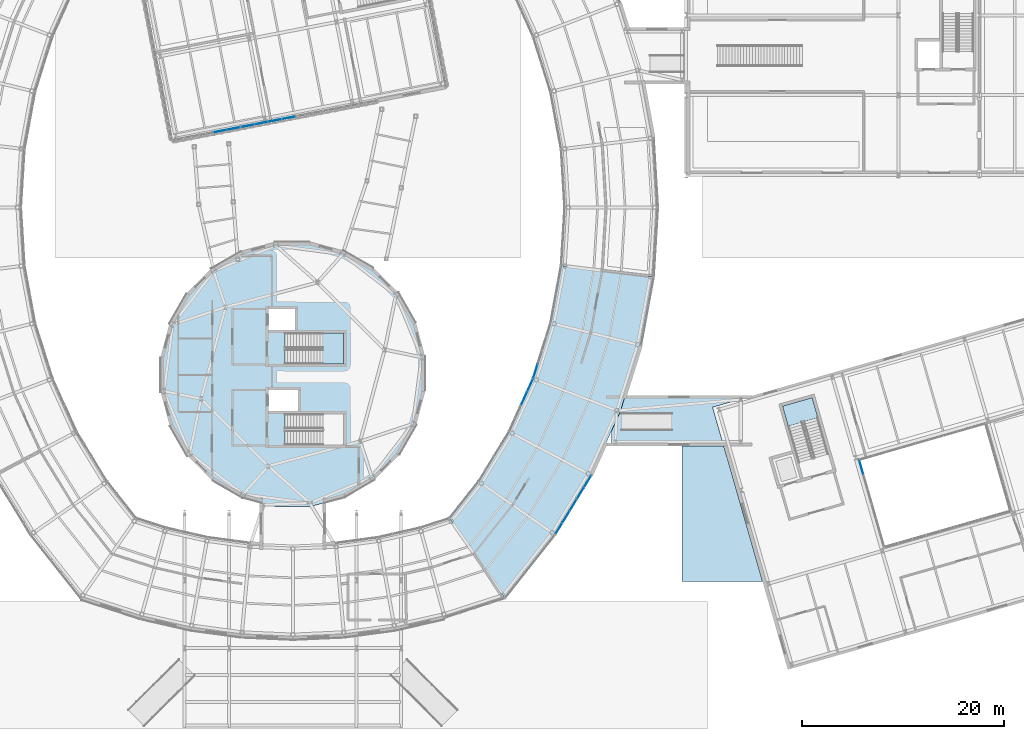
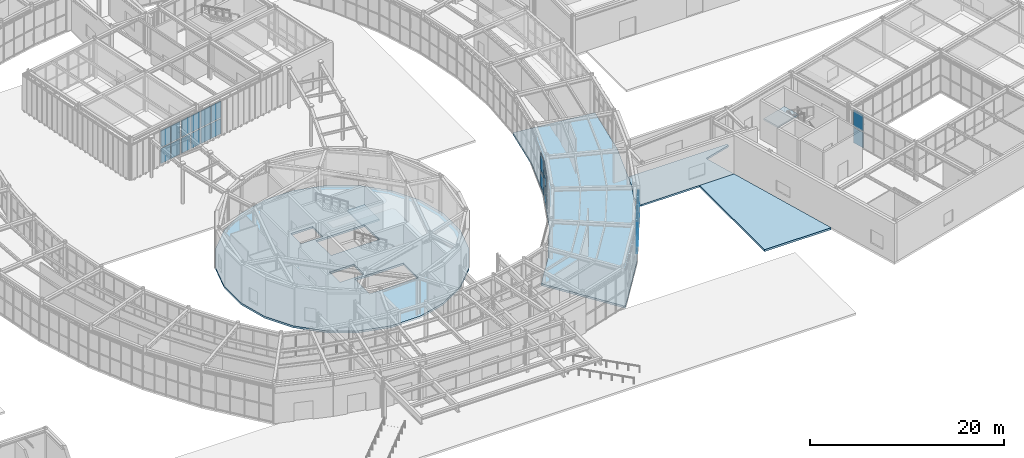
# One storey, part 59 of 97: 29 plates, 6 slabs, 8 elements without a shape of their own.
"""IFC4 building model written with IfcOpenShell, lengths in metres."""

from ifc_helpers import new_model, si_unit, direction, frame, origin, origin_2d, place, context, subcontext, project, spatial, polyline, rectangle, outline, extrude, material, layer, layer_set, type_object, element, aggregate, save


model = new_model("IFC4")

# Units and contexts
model_context = context("Model", 3, precision=1e-05, world=origin(), true_north=direction((0.0, 1.0)))
body_context = subcontext(model_context, "Body", "Model", "MODEL_VIEW")
ifc_project = project(units=[si_unit("LENGTHUNIT", "METRE"), si_unit("AREAUNIT", "SQUARE_METRE"), si_unit("VOLUMEUNIT", "CUBIC_METRE"), si_unit("PLANEANGLEUNIT", "RADIAN"), si_unit("MASSUNIT", "GRAM", prefix="KILO")], contexts=[model_context])

# Site, building, storey
site_placement = place(None, origin())
site = spatial("IfcSite", under=ifc_project, at=site_placement, CompositionType="ELEMENT")
building_placement = place(site_placement, origin())
building = spatial("IfcBuilding", under=site, at=building_placement, Name="Varnklinge Art Gallery", CompositionType="ELEMENT")
storey_placement = place(building_placement, origin())
storey = spatial("IfcBuildingStorey", under=building, at=storey_placement, Name="L00", CompositionType="ELEMENT", Elevation=0.0)

# Curtain wall, plates
ifc_material_1 = material(Name="Anodised Aluminium", Category="aluminium")
curtain_wall_type_1 = type_object("IfcCurtainWallType", Name="CW-R03", PredefinedType="USERDEFINED", material=ifc_material_1)
curtain_wall_1_placement = place(storey_placement, origin())
curtain_wall_1 = element("IfcCurtainWall", 1, at=curtain_wall_1_placement, inside=storey, type_object=curtain_wall_type_1, Name="L00 Curtain Wall CW-V2I-L00-03", ObjectType="UNITISED CURTAIN WALL", PredefinedType="USERDEFINED")
ifc_material_2 = material(Name="Insulated Low-E Triple Glazing", Category="glass")
ifc_layer_1 = layer(ifc_material_2, 0.031982421875)
ifc_layer_set_1 = layer_set([ifc_layer_1], Name="Insulated Low-E Triple Glazing")
plate_type_1 = type_object("IfcPlateType", Name="GLZ-32", PredefinedType="CURTAIN_PANEL", material=ifc_layer_set_1)
plate_1_placement = place(storey_placement, frame((98.960205078125, 37.400390625, 0.1181640625), z_axis=(0.0, 0.0, 1.0), x_axis=(-0.413422293217, -0.910539404678, 0.0)))
plate_1 = element("IfcPlate", 2, at=plate_1_placement, type_object=plate_type_1, Name="CW-V2I-L00-03 Glazing Panel 1.1", PredefinedType="CURTAIN_PANEL", context=body_context, shape_type="SweptSolid", body=[
    extrude(rectangle(XDim=1.355712890625, YDim=0.031982421875, at=origin_2d()), origin(), (0.0, 0.0, 1.0), 1.950439453125),
])
plate_2_placement = place(storey_placement, frame((98.960205078125, 37.400390625, 2.1845703125), z_axis=(0.0, 0.0, 1.0), x_axis=(-0.413422293217, -0.910539404678, 0.0)))
plate_2 = element("IfcPlate", 3, at=plate_2_placement, type_object=plate_type_1, Name="CW-V2I-L00-03 Glazing Panel 1.2", PredefinedType="CURTAIN_PANEL", context=body_context, shape_type="SweptSolid", body=[
    extrude(rectangle(XDim=1.355712890625, YDim=0.031982421875, at=origin_2d()), origin(), (0.0, 0.0, 1.0), 2.127685546875),
])
plate_3_placement = place(storey_placement, frame((98.370361328125, 36.101318359375, 0.1181640625), z_axis=(0.0, 0.0, 1.0), x_axis=(-0.413422293217, -0.910539404678, 0.0)))
plate_3 = element("IfcPlate", 4, at=plate_3_placement, type_object=plate_type_1, Name="CW-V2I-L00-03 Glazing Panel 2.1", PredefinedType="CURTAIN_PANEL", context=body_context, shape_type="SweptSolid", body=[
    extrude(rectangle(XDim=1.3857421875, YDim=0.031982421875, at=origin_2d()), origin(), (0.0, 0.0, 1.0), 1.950439453125),
])
plate_4_placement = place(storey_placement, frame((98.370361328125, 36.101318359375, 2.1845703125), z_axis=(0.0, 0.0, 1.0), x_axis=(-0.413422293217, -0.910539404678, 0.0)))
plate_4 = element("IfcPlate", 5, at=plate_4_placement, type_object=plate_type_1, Name="CW-V2I-L00-03 Glazing Panel 2.2", PredefinedType="CURTAIN_PANEL", context=body_context, shape_type="SweptSolid", body=[
    extrude(rectangle(XDim=1.3857421875, YDim=0.031982421875, at=origin_2d()), origin(), (0.0, 0.0, 1.0), 2.127685546875),
])
aggregate(curtain_wall_1, [plate_1, plate_2, plate_3, plate_4])

curtain_wall_2_placement = place(storey_placement, origin())
curtain_wall_2 = element("IfcCurtainWall", 6, at=curtain_wall_2_placement, inside=storey, type_object=curtain_wall_type_1, Name="L00 Curtain Wall CW-V2I-L00-04", ObjectType="UNITISED CURTAIN WALL", PredefinedType="USERDEFINED")
plate_5_placement = place(storey_placement, frame((99.485107421875, 38.7724609375, 0.1181640625), z_axis=(0.0, 0.0, 1.0), x_axis=(-0.299706904751, -0.954031326134, 0.0)))
plate_5 = element("IfcPlate", 7, at=plate_5_placement, type_object=plate_type_1, Name="CW-V2I-L00-04 Glazing Panel 4.1", PredefinedType="CURTAIN_PANEL", context=body_context, shape_type="SweptSolid", body=[
    extrude(rectangle(XDim=1.355712890625, YDim=0.031982421875, at=origin_2d()), origin(), (0.0, 0.0, 1.0), 1.950439453125),
])
plate_6_placement = place(storey_placement, frame((99.485107421875, 38.7724609375, 2.1845703125), z_axis=(0.0, 0.0, 1.0), x_axis=(-0.299706904751, -0.954031326134, 0.0)))
plate_6 = element("IfcPlate", 8, at=plate_6_placement, type_object=plate_type_1, Name="CW-V2I-L00-04 Glazing Panel 4.2", PredefinedType="CURTAIN_PANEL", context=body_context, shape_type="SweptSolid", body=[
    extrude(rectangle(XDim=1.355712890625, YDim=0.031982421875, at=origin_2d()), origin(), (0.0, 0.0, 1.0), 2.127685546875),
])
aggregate(curtain_wall_2, [plate_5, plate_6])

ifc_material_3 = material(Name="Anodised Aluminium", Category="aluminium")
curtain_wall_type_2 = type_object("IfcCurtainWallType", Name="CW-C01", PredefinedType="USERDEFINED", material=ifc_material_3)
curtain_wall_3_placement = place(storey_placement, origin())
curtain_wall_3 = element("IfcCurtainWall", 9, at=curtain_wall_3_placement, inside=storey, type_object=curtain_wall_type_2, Name="L00 Curtain Wall CW-V6C-L00-4", ObjectType="UNITISED CURTAIN WALL", PredefinedType="USERDEFINED")
plate_7_placement = place(storey_placement, frame((131.722412109375, 29.298583984375, 0.1181640625), z_axis=(0.0, 0.0, 1.0), x_axis=(-0.275637355817, 0.961261695938, 0.0)))
plate_7 = element("IfcPlate", 10, at=plate_7_placement, type_object=plate_type_1, Name="CW-V6C-L00-4 Glazing Panel 6.1", PredefinedType="CURTAIN_PANEL", context=body_context, shape_type="SweptSolid", body=[
    extrude(rectangle(XDim=1.4140625, YDim=0.031982421875, at=origin_2d()), origin(), (0.0, 0.0, 1.0), 1.950439453125),
])
plate_8_placement = place(storey_placement, frame((131.722412109375, 29.298583984375, 2.1845703125), z_axis=(0.0, 0.0, 1.0), x_axis=(-0.275637355817, 0.961261695938, 0.0)))
plate_8 = element("IfcPlate", 11, at=plate_8_placement, type_object=plate_type_1, Name="CW-V6C-L00-4 Glazing Panel 6.2", PredefinedType="CURTAIN_PANEL", context=body_context, shape_type="SweptSolid", body=[
    extrude(rectangle(XDim=1.4140625, YDim=0.031982421875, at=origin_2d()), origin(), (0.0, 0.0, 1.0), 2.127685546875),
])
aggregate(curtain_wall_3, [plate_7, plate_8])

ifc_material_4 = material(Name="Anodised Aluminium", Category="aluminium")
curtain_wall_type_3 = type_object("IfcCurtainWallType", Name="CW-R01", PredefinedType="USERDEFINED", material=ifc_material_4)
curtain_wall_4_placement = place(storey_placement, origin())
curtain_wall_4 = element("IfcCurtainWall", 12, at=curtain_wall_4_placement, inside=storey, type_object=curtain_wall_type_3, Name="L00 Curtain Wall CW-V2O-L00-02", ObjectType="UNITISED CURTAIN WALL", PredefinedType="USERDEFINED")
ifc_material_5 = material(Name="Insulated Low-E Triple Glazing", Category="glass")
ifc_layer_2 = layer(ifc_material_5, 0.0380859375)
ifc_layer_set_2 = layer_set([ifc_layer_2], Name="Insulated Low-E Triple Glazing")
plate_type_2 = type_object("IfcPlateType", Name="GLZ-38", PredefinedType="CURTAIN_PANEL", material=ifc_layer_set_2)
plate_9_placement = place(storey_placement, frame((101.80419921875, 23.226806640625, 2.199462890625), z_axis=(0.0, 0.0, 1.0), x_axis=(0.520860651188, 0.85364171761, 0.0)))
plate_9 = element("IfcPlate", 13, at=plate_9_placement, type_object=plate_type_2, Name="CW-V2O-L00-02 Glazing Panel 1.2", PredefinedType="CURTAIN_PANEL", context=body_context, shape_type="SweptSolid", body=[
    extrude(rectangle(XDim=1.2841796875, YDim=0.0380859375, at=origin_2d()), origin(), (0.0, 0.0, 1.0), 2.08251953125),
])
plate_10_placement = place(storey_placement, frame((102.513427734375, 24.38916015625, 0.14794921875), z_axis=(0.0, 0.0, 1.0), x_axis=(0.520860651188, 0.85364171761, 0.0)))
plate_10 = element("IfcPlate", 14, at=plate_10_placement, type_object=plate_type_2, Name="CW-V2O-L00-02 Glazing Panel 2.1", PredefinedType="CURTAIN_PANEL", context=body_context, shape_type="SweptSolid", body=[
    extrude(rectangle(XDim=1.316650390625, YDim=0.0380859375, at=origin_2d()), origin(), (0.0, 0.0, 1.0), 1.905517578125),
])
plate_11_placement = place(storey_placement, frame((102.513427734375, 24.38916015625, 2.199462890625), z_axis=(0.0, 0.0, 1.0), x_axis=(0.520860651188, 0.85364171761, 0.0)))
plate_11 = element("IfcPlate", 15, at=plate_11_placement, type_object=plate_type_2, Name="CW-V2O-L00-02 Glazing Panel 2.2", PredefinedType="CURTAIN_PANEL", context=body_context, shape_type="SweptSolid", body=[
    extrude(rectangle(XDim=1.316650390625, YDim=0.0380859375, at=origin_2d()), origin(), (0.0, 0.0, 1.0), 2.08251953125),
])
plate_12_placement = place(storey_placement, frame((103.231201171875, 25.565185546875, 0.14794921875), z_axis=(0.0, 0.0, 1.0), x_axis=(0.520860651188, 0.85364171761, 0.0)))
plate_12 = element("IfcPlate", 16, at=plate_12_placement, type_object=plate_type_2, Name="CW-V2O-L00-02 Glazing Panel 3.1", PredefinedType="CURTAIN_PANEL", context=body_context, shape_type="SweptSolid", body=[
    extrude(rectangle(XDim=1.316650390625, YDim=0.0380859375, at=origin_2d()), origin(), (0.0, 0.0, 1.0), 1.905517578125),
])
plate_13_placement = place(storey_placement, frame((103.231201171875, 25.565185546875, 2.199462890625), z_axis=(0.0, 0.0, 1.0), x_axis=(0.520860651188, 0.85364171761, 0.0)))
plate_13 = element("IfcPlate", 17, at=plate_13_placement, type_object=plate_type_2, Name="CW-V2O-L00-02 Glazing Panel 3.2", PredefinedType="CURTAIN_PANEL", context=body_context, shape_type="SweptSolid", body=[
    extrude(rectangle(XDim=1.316650390625, YDim=0.0380859375, at=origin_2d()), origin(), (0.0, 0.0, 1.0), 2.08251953125),
])
plate_14_placement = place(storey_placement, frame((103.948974609375, 26.7412109375, 0.14794921875), z_axis=(0.0, 0.0, 1.0), x_axis=(0.520860651188, 0.85364171761, 0.0)))
plate_14 = element("IfcPlate", 18, at=plate_14_placement, type_object=plate_type_2, Name="CW-V2O-L00-02 Glazing Panel 4.1", PredefinedType="CURTAIN_PANEL", context=body_context, shape_type="SweptSolid", body=[
    extrude(rectangle(XDim=1.316650390625, YDim=0.0380859375, at=origin_2d()), origin(), (0.0, 0.0, 1.0), 1.905517578125),
])
plate_15_placement = place(storey_placement, frame((103.948974609375, 26.7412109375, 2.199462890625), z_axis=(0.0, 0.0, 1.0), x_axis=(0.520860651188, 0.85364171761, 0.0)))
plate_15 = element("IfcPlate", 19, at=plate_15_placement, type_object=plate_type_2, Name="CW-V2O-L00-02 Glazing Panel 4.2", PredefinedType="CURTAIN_PANEL", context=body_context, shape_type="SweptSolid", body=[
    extrude(rectangle(XDim=1.316650390625, YDim=0.0380859375, at=origin_2d()), origin(), (0.0, 0.0, 1.0), 2.08251953125),
])
plate_16_placement = place(storey_placement, frame((104.658203125, 27.9033203125, 0.14794921875), z_axis=(0.0, 0.0, 1.0), x_axis=(0.520860651188, 0.85364171761, 0.0)))
plate_16 = element("IfcPlate", 20, at=plate_16_placement, type_object=plate_type_2, Name="CW-V2O-L00-02 Glazing Panel 5.1", PredefinedType="CURTAIN_PANEL", context=body_context, shape_type="SweptSolid", body=[
    extrude(rectangle(XDim=1.2841796875, YDim=0.0380859375, at=origin_2d()), origin(), (0.0, 0.0, 1.0), 1.905517578125),
])
plate_17_placement = place(storey_placement, frame((104.658203125, 27.9033203125, 2.199462890625), z_axis=(0.0, 0.0, 1.0), x_axis=(0.520860651188, 0.85364171761, 0.0)))
plate_17 = element("IfcPlate", 21, at=plate_17_placement, type_object=plate_type_2, Name="CW-V2O-L00-02 Glazing Panel 5.2", PredefinedType="CURTAIN_PANEL", context=body_context, shape_type="SweptSolid", body=[
    extrude(rectangle(XDim=1.2841796875, YDim=0.0380859375, at=origin_2d()), origin(), (0.0, 0.0, 1.0), 2.08251953125),
])
aggregate(curtain_wall_4, [plate_9, plate_10, plate_11, plate_12, plate_13, plate_14, plate_15, plate_16, plate_17])

ifc_material_6 = material(Name="Anodised Aluminium", Category="aluminium")
curtain_wall_type_4 = type_object("IfcCurtainWallType", Name="CW-L01", PredefinedType="USERDEFINED", material=ifc_material_6)
curtain_wall_5_placement = place(storey_placement, origin())
curtain_wall_5 = element("IfcCurtainWall", 22, at=curtain_wall_5_placement, inside=storey, type_object=curtain_wall_type_4, Name="L00 Curtain Wall CW-V4B-L00-1-1-1", ObjectType="UNITISED CURTAIN WALL", PredefinedType="USERDEFINED")
ifc_material_7 = material(Name="Insulated Low-E Triple Glazing", Category="glass")
ifc_layer_3 = layer(ifc_material_7, 0.0439453125)
ifc_layer_set_3 = layer_set([ifc_layer_3], Name="Insulated Low-E Triple Glazing")
plate_type_3 = type_object("IfcPlateType", Name="GLZ-44", PredefinedType="CURTAIN_PANEL", material=ifc_layer_set_3)
plate_18_placement = place(storey_placement, frame((68.297607421875, 62.542724609375, 0.14794921875), z_axis=(0.0, 0.0, 1.0), x_axis=(0.981627183448, 0.190808995377, 0.0)))
plate_18 = element("IfcPlate", 23, at=plate_18_placement, type_object=plate_type_3, Name="CW-V4B-L00-1-1-1 Glazing Panel 4.1", PredefinedType="CURTAIN_PANEL", context=body_context, shape_type="SweptSolid", body=[
    extrude(rectangle(XDim=1.30908203125, YDim=0.0439453125, at=origin_2d()), origin(), (0.0, 0.0, 1.0), 1.905517578125),
])
plate_19_placement = place(storey_placement, frame((68.297607421875, 62.542724609375, 2.199462890625), z_axis=(0.0, 0.0, 1.0), x_axis=(0.981627183448, 0.190808995377, 0.0)))
plate_19 = element("IfcPlate", 24, at=plate_19_placement, type_object=plate_type_3, Name="CW-V4B-L00-1-1-1 Glazing Panel 4.2", PredefinedType="CURTAIN_PANEL", context=body_context, shape_type="SweptSolid", body=[
    extrude(rectangle(XDim=1.30908203125, YDim=0.0439453125, at=origin_2d()), origin(), (0.0, 0.0, 1.0), 2.08251953125),
])
plate_20_placement = place(storey_placement, frame((69.6337890625, 62.802490234375, 0.14794921875), z_axis=(0.0, 0.0, 1.0), x_axis=(0.981627183448, 0.190808995377, 0.0)))
plate_20 = element("IfcPlate", 25, at=plate_20_placement, type_object=plate_type_3, Name="CW-V4B-L00-1-1-1 Glazing Panel 5.1", PredefinedType="CURTAIN_PANEL", context=body_context, shape_type="SweptSolid", body=[
    extrude(rectangle(XDim=1.271484375, YDim=0.0439453125, at=origin_2d()), origin(), (0.0, 0.0, 1.0), 1.905517578125),
])
plate_21_placement = place(storey_placement, frame((69.6337890625, 62.802490234375, 2.199462890625), z_axis=(0.0, 0.0, 1.0), x_axis=(0.981627183448, 0.190808995377, 0.0)))
plate_21 = element("IfcPlate", 26, at=plate_21_placement, type_object=plate_type_3, Name="CW-V4B-L00-1-1-1 Glazing Panel 5.2", PredefinedType="CURTAIN_PANEL", context=body_context, shape_type="SweptSolid", body=[
    extrude(rectangle(XDim=1.271484375, YDim=0.0439453125, at=origin_2d()), origin(), (0.0, 0.0, 1.0), 2.08251953125),
])
aggregate(curtain_wall_5, [plate_18, plate_19, plate_20, plate_21])

curtain_wall_6_placement = place(storey_placement, origin())
curtain_wall_6 = element("IfcCurtainWall", 27, at=curtain_wall_6_placement, inside=storey, type_object=curtain_wall_type_4, Name="L00 Curtain Wall CW-V4B-L00-1-1-2", ObjectType="UNITISED CURTAIN WALL", PredefinedType="USERDEFINED")
plate_22_placement = place(storey_placement, frame((71.025146484375, 63.072998046875, 0.14794921875), z_axis=(0.0, 0.0, 1.0), x_axis=(0.981627183448, 0.190808995377, 0.0)))
plate_22 = element("IfcPlate", 28, at=plate_22_placement, type_object=plate_type_3, Name="CW-V4B-L00-1-1-2 Glazing Panel 1.1", PredefinedType="CURTAIN_PANEL", context=body_context, shape_type="SweptSolid", body=[
    extrude(rectangle(XDim=1.271484375, YDim=0.0439453125, at=origin_2d()), origin(), (0.0, 0.0, 1.0), 1.905517578125),
])
plate_23_placement = place(storey_placement, frame((71.025146484375, 63.072998046875, 2.199462890625), z_axis=(0.0, 0.0, 1.0), x_axis=(0.981627183448, 0.190808995377, 0.0)))
plate_23 = element("IfcPlate", 29, at=plate_23_placement, type_object=plate_type_3, Name="CW-V4B-L00-1-1-2 Glazing Panel 1.2", PredefinedType="CURTAIN_PANEL", context=body_context, shape_type="SweptSolid", body=[
    extrude(rectangle(XDim=1.271484375, YDim=0.0439453125, at=origin_2d()), origin(), (0.0, 0.0, 1.0), 2.08251953125),
])
plate_24_placement = place(storey_placement, frame((72.361572265625, 63.332763671875, 0.14794921875), z_axis=(0.0, 0.0, 1.0), x_axis=(0.981627183448, 0.190808995377, 0.0)))
plate_24 = element("IfcPlate", 30, at=plate_24_placement, type_object=plate_type_3, Name="CW-V4B-L00-1-1-2 Glazing Panel 2.1", PredefinedType="CURTAIN_PANEL", context=body_context, shape_type="SweptSolid", body=[
    extrude(rectangle(XDim=1.30908203125, YDim=0.0439453125, at=origin_2d()), origin(), (0.0, 0.0, 1.0), 1.905517578125),
])
plate_25_placement = place(storey_placement, frame((72.361572265625, 63.332763671875, 2.199462890625), z_axis=(0.0, 0.0, 1.0), x_axis=(0.981627183448, 0.190808995377, 0.0)))
plate_25 = element("IfcPlate", 31, at=plate_25_placement, type_object=plate_type_3, Name="CW-V4B-L00-1-1-2 Glazing Panel 2.2", PredefinedType="CURTAIN_PANEL", context=body_context, shape_type="SweptSolid", body=[
    extrude(rectangle(XDim=1.30908203125, YDim=0.0439453125, at=origin_2d()), origin(), (0.0, 0.0, 1.0), 2.08251953125),
])
plate_26_placement = place(storey_placement, frame((73.716064453125, 63.59619140625, 0.14794921875), z_axis=(0.0, 0.0, 1.0), x_axis=(0.981627183448, 0.190808995377, 0.0)))
plate_26 = element("IfcPlate", 32, at=plate_26_placement, type_object=plate_type_3, Name="CW-V4B-L00-1-1-2 Glazing Panel 3.1", PredefinedType="CURTAIN_PANEL", context=body_context, shape_type="SweptSolid", body=[
    extrude(rectangle(XDim=1.30908203125, YDim=0.0439453125, at=origin_2d()), origin(), (0.0, 0.0, 1.0), 1.905517578125),
])
plate_27_placement = place(storey_placement, frame((73.716064453125, 63.59619140625, 2.199462890625), z_axis=(0.0, 0.0, 1.0), x_axis=(0.981627183448, 0.190808995377, 0.0)))
plate_27 = element("IfcPlate", 33, at=plate_27_placement, type_object=plate_type_3, Name="CW-V4B-L00-1-1-2 Glazing Panel 3.2", PredefinedType="CURTAIN_PANEL", context=body_context, shape_type="SweptSolid", body=[
    extrude(rectangle(XDim=1.30908203125, YDim=0.0439453125, at=origin_2d()), origin(), (0.0, 0.0, 1.0), 2.08251953125),
])
plate_28_placement = place(storey_placement, frame((75.07080078125, 63.859375, 0.14794921875), z_axis=(0.0, 0.0, 1.0), x_axis=(0.981627183448, 0.190808995377, 0.0)))
plate_28 = element("IfcPlate", 34, at=plate_28_placement, type_object=plate_type_3, Name="CW-V4B-L00-1-1-2 Glazing Panel 4.1", PredefinedType="CURTAIN_PANEL", context=body_context, shape_type="SweptSolid", body=[
    extrude(rectangle(XDim=1.30908203125, YDim=0.0439453125, at=origin_2d()), origin(), (0.0, 0.0, 1.0), 1.905517578125),
])
plate_29_placement = place(storey_placement, frame((75.07080078125, 63.859375, 2.199462890625), z_axis=(0.0, 0.0, 1.0), x_axis=(0.981627183448, 0.190808995377, 0.0)))
plate_29 = element("IfcPlate", 35, at=plate_29_placement, type_object=plate_type_3, Name="CW-V4B-L00-1-1-2 Glazing Panel 4.2", PredefinedType="CURTAIN_PANEL", context=body_context, shape_type="SweptSolid", body=[
    extrude(rectangle(XDim=1.30908203125, YDim=0.0439453125, at=origin_2d()), origin(), (0.0, 0.0, 1.0), 2.08251953125),
])
aggregate(curtain_wall_6, [plate_22, plate_23, plate_24, plate_25, plate_26, plate_27, plate_28, plate_29])

# Slabs
ifc_material_8 = material(Name="Concrete C40/50", Category="concrete")
ifc_layer_4 = layer(ifc_material_8, 0.25)
ifc_layer_set_4 = layer_set([ifc_layer_4], Name="Concrete C40/50")
slab_type_1 = type_object("IfcSlabType", Name="SLB-APRON", PredefinedType="FLOOR", material=ifc_layer_set_4)
slab_1_placement = place(storey_placement, frame((0.0, 0.0, -0.25)))
element("IfcSlab", 36, at=slab_1_placement, inside=storey, type_object=slab_type_1, Name="L00 Studios West Exit Apron", PredefinedType="FLOOR", context=body_context, shape_type="SweptSolid", body=[
    extrude(outline(polyline([(114.0, 18.0), (121.95849609375, 18.0), (118.115966796875, 31.39990234375), (114.0, 31.39990234375), (114.0, 18.0)])), origin(), (0.0, 0.0, 1.0), 0.25),
])
ifc_material_9 = material(Name="Concrete C35/45", Category="concrete")
ifc_layer_5 = layer(ifc_material_9, 0.219970703125)
ifc_layer_set_5 = layer_set([ifc_layer_5], Name="Concrete C35/45")
slab_type_2 = type_object("IfcSlabType", Name="SLB-F22", PredefinedType="FLOOR", material=ifc_layer_set_5)
slab_2_placement = place(storey_placement, frame((0.0, 0.0, -0.219970703125)))
element("IfcSlab", 37, at=slab_2_placement, inside=storey, type_object=slab_type_2, Name="L00 LNK-V6 Gallery Link Slab", PredefinedType="FLOOR", context=body_context, shape_type="SweptSolid", body=[
    extrude(outline(polyline([(120.199951171875, 36.1533203125), (120.199951171875, 36.39990234375), (108.383056640625, 36.39990234375), (107.873291015625, 34.77783203125), (107.0, 32.85400390625), (107.0, 31.39990234375), (118.115966796875, 31.39990234375), (117.014892578125, 35.239990234375), (120.199951171875, 36.1533203125)])), origin(), (0.0, 0.0, 1.0), 0.219970703125),
])
ifc_material_10 = material(Name="Concrete C35/45", Category="concrete")
ifc_layer_6 = layer(ifc_material_10, 0.25)
ifc_layer_set_6 = layer_set([ifc_layer_6], Name="Concrete C35/45")
slab_type_3 = type_object("IfcSlabType", Name="SLB-F25", PredefinedType="FLOOR", material=ifc_layer_set_6)
slab_3_placement = place(storey_placement, frame((0.0, 0.0, -0.25)))
element("IfcSlab", 38, at=slab_3_placement, inside=storey, type_object=slab_type_3, Name="L00 Curved Gallery Ring Sector 1", PredefinedType="FLOOR", context=body_context, shape_type="SweptSolid", body=[
    extrude(outline(polyline([(101.43701171875, 22.625), (105.025390625, 28.505126953125), (107.873291015625, 34.77783203125), (109.93798828125, 41.349853515625), (111.189453125, 48.1240234375), (102.04052734375, 49.24365234375), (100.9931640625, 43.572509765625), (99.264404296875, 38.0703125), (96.88037109375, 32.819091796875), (93.8759765625, 27.896484375), (90.986083984375, 24.246337890625), (96.470703125, 16.352783203125), (101.43701171875, 22.625)])), origin(), (0.0, 0.0, 1.0), 0.25),
])
slab_4_placement = place(storey_placement, frame((0.0, 0.0, -0.25)))
element("IfcSlab", 39, at=slab_4_placement, inside=storey, type_object=slab_type_3, Name="L00 Pavilion Drum Floor Slab", PredefinedType="FLOOR", context=body_context, shape_type="SweptSolid", body=[
    extrude(outline(polyline([(85.972412109375, 30.46435546875), (87.6953125, 33.448486328125), (88.587158203125, 36.777099609375), (88.587158203125, 40.222900390625), (87.6953125, 43.551513671875), (85.972412109375, 46.53564453125), (83.53564453125, 48.972412109375), (80.551513671875, 50.6953125), (77.222900390625, 51.587158203125), (73.777099609375, 51.587158203125), (70.448486328125, 50.6953125), (67.46435546875, 48.972412109375), (65.027587890625, 46.53564453125), (63.3046875, 43.551513671875), (62.412841796875, 40.222900390625), (62.412841796875, 36.777099609375), (63.3046875, 33.448486328125), (65.027587890625, 30.46435546875), (67.46435546875, 28.027587890625), (70.448486328125, 26.3046875), (73.777099609375, 25.412841796875), (77.222900390625, 25.412841796875), (80.551513671875, 26.3046875), (83.53564453125, 28.027587890625), (85.972412109375, 30.46435546875)]), holes=[polyline([(74.72509765625, 31.5), (74.72509765625, 34.56005859375), (80.5, 34.56005859375), (80.5, 31.5), (74.72509765625, 31.5)]), polyline([(73.10009765625, 36.9599609375), (76.0, 36.9599609375), (76.0, 34.860107421875), (73.10009765625, 34.860107421875), (73.10009765625, 36.9599609375)]), polyline([(80.5, 42.56005859375), (80.5, 39.5), (74.72509765625, 39.5), (74.72509765625, 42.56005859375), (80.5, 42.56005859375)]), polyline([(75.699951171875, 42.860107421875), (73.10009765625, 42.860107421875), (73.10009765625, 44.9599609375), (75.699951171875, 44.9599609375), (75.699951171875, 42.860107421875)])]), origin(), (0.0, 0.0, 1.0), 0.25),
])

# Stair, slab
ifc_material_11 = material(Name="Concrete C40/50", Category="concrete")
stair_type = type_object("IfcStairType", Name="STR-C5100", PredefinedType="HALF_TURN_STAIR", material=ifc_material_11)
stair_1_placement = place(storey_placement, origin())
stair_1 = element("IfcStair", 40, at=stair_1_placement, inside=storey, type_object=stair_type, Name="L00 Core C2 Stair ST-02", PredefinedType="HALF_TURN_STAIR")
ifc_material_12 = material(Name="Concrete C40/50", Category="concrete")
ifc_layer_7 = layer(ifc_material_12, 0.199951171875)
ifc_layer_set_7 = layer_set([ifc_layer_7], Name="Concrete C40/50")
slab_type_4 = type_object("IfcSlabType", Name="SLB-LND20", PredefinedType="LANDING", material=ifc_layer_set_7)
slab_5_placement = place(storey_placement, frame((0.0, 0.0, 2.35009765625)))
slab_5 = element("IfcSlab", 41, at=slab_5_placement, type_object=slab_type_4, Name="ST-02 landing 1", PredefinedType="LANDING", context=body_context, shape_type="SweptSolid", body=[
    extrude(outline(polyline([(78.43994140625, 39.5), (80.5, 39.5), (80.5, 42.56005859375), (78.43994140625, 42.56005859375), (78.43994140625, 39.5)])), origin(), (0.0, 0.0, 1.0), 0.199951171875),
])
aggregate(stair_1, [slab_5])

stair_2_placement = place(storey_placement, origin())
stair_2 = element("IfcStair", 42, at=stair_2_placement, inside=storey, type_object=stair_type, Name="L00 Core C5 Stair ST-05", PredefinedType="HALF_TURN_STAIR")
slab_6_placement = place(storey_placement, frame((0.0, 0.0, 2.35009765625)))
slab_6 = element("IfcSlab", 43, at=slab_6_placement, type_object=slab_type_4, Name="ST-05 landing 1", PredefinedType="LANDING", context=body_context, shape_type="SweptSolid", body=[
    extrude(outline(polyline([(127.431640625, 34.203369140625), (126.86376953125, 36.18359375), (123.92236328125, 35.340087890625), (124.490234375, 33.35986328125), (127.431640625, 34.203369140625)])), origin(), (0.0, 0.0, 1.0), 0.199951171875),
])
aggregate(stair_2, [slab_6])

save(model, "model.ifc")
